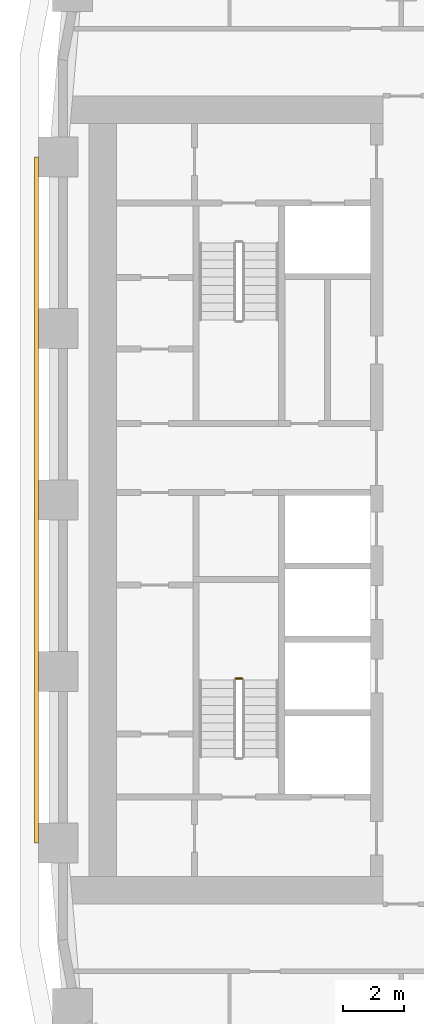
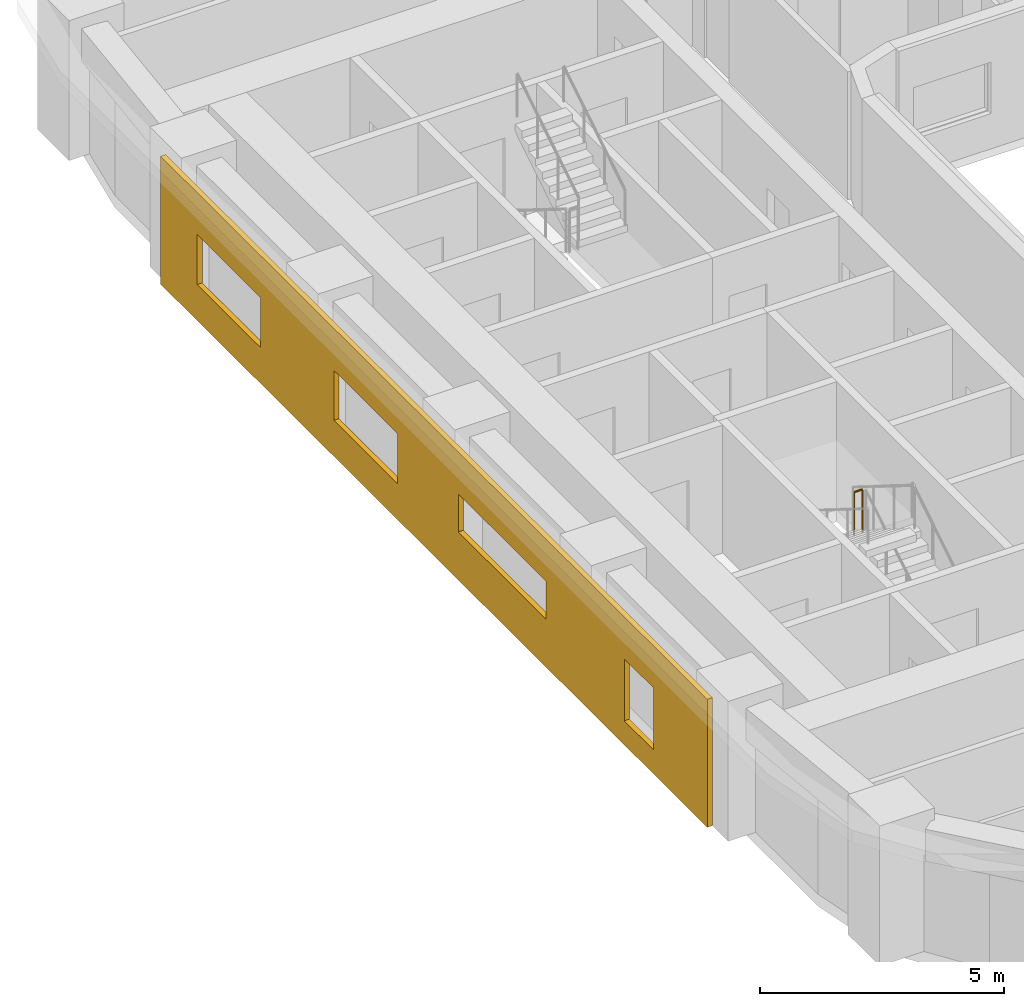
# One storey, part 14 of 22: 1 covering, 1 railing.
"""IFC4 building model written with IfcOpenShell, lengths in metres."""

from ifc_helpers import new_model, si_unit, direction, frame, origin, origin_2d, place, context, subcontext, project, spatial, polyline, circle, outline, extrude, material, layer, layer_set, type_object, element, save


model = new_model("IFC4")

# Units and contexts
model_context = context("Model", 3, precision=1e-05, world=origin(), true_north=direction((0.0, 1.0)))
body_context = subcontext(model_context, "Body", "Model", "MODEL_VIEW")
ifc_project = project(units=[si_unit("LENGTHUNIT", "METRE"), si_unit("AREAUNIT", "SQUARE_METRE"), si_unit("VOLUMEUNIT", "CUBIC_METRE"), si_unit("PLANEANGLEUNIT", "RADIAN"), si_unit("MASSUNIT", "GRAM", prefix="KILO")], contexts=[model_context])

# Site, building, storey
site_placement = place(None, origin())
site = spatial("IfcSite", under=ifc_project, at=site_placement, CompositionType="ELEMENT")
building_placement = place(site_placement, origin())
building = spatial("IfcBuilding", under=site, at=building_placement, Name="Kiln Ring Residences", CompositionType="ELEMENT")
storey_placement = place(building_placement, frame((0.0, 0.0, 90.300048828125)))
storey = spatial("IfcBuildingStorey", under=building, at=storey_placement, Name="L22", CompositionType="ELEMENT", Elevation=90.300048828125)

# Railing
ifc_material_1 = material(Name="Stainless steel", Category="steel")
railing_type = type_object("IfcRailingType", Name="CORE-STAIR-GUARD", PredefinedType="GUARDRAIL", material=ifc_material_1)
railing_placement = place(storey_placement, frame((-22.0, -5.830078125, 1.75)))
element("IfcRailing", 1, at=railing_placement, inside=storey, type_object=railing_type, Name="L22 W-STS stair guard 2", PredefinedType="GUARDRAIL", context=body_context, shape_type="SweptSolid", body=[
    extrude(circle(Radius=0.02392578125, at=origin_2d()), frame((0.0, 0.0, 1.076171875), z_axis=(-1.0, 0.0, 0.0), x_axis=(0.0, -1.0, 0.0)), (0.0, 0.0, 1.0), 0.199951171875),
    extrude(circle(Radius=0.02099609375, at=origin_2d()), origin(), (0.0, 0.0, 1.0), 1.052001953125),
    extrude(circle(Radius=0.02099609375, at=origin_2d()), frame((-0.199951171875, 0.0, 0.0)), (0.0, 0.0, 1.0), 1.052001953125),
])

# Covering
ifc_material_2 = material(Name="Brick masonry, dark clay brick", Category="masonry")
ifc_layer = layer(ifc_material_2, 0.1201171875)
ifc_layer_set = layer_set([ifc_layer], Name="RAINSCREEN PANEL 120")
covering_type = type_object("IfcCoveringType", Name="RAINSCREEN PANEL 120", PredefinedType="CLADDING", material=ifc_layer_set)
covering_placement = place(storey_placement, frame((-28.7099609375, 11.199951171875, 0.0), z_axis=(0.0, 0.0, 1.0), x_axis=(0.0, -1.0, 0.0)))
element("IfcCovering", 2, at=covering_placement, inside=storey, type_object=covering_type, Name="RAINSCREEN L22", PredefinedType="CLADDING", context=body_context, shape_type="SweptSolid", body=[
    extrude(outline(polyline([(0.0, 0.0), (22.39990234375, 0.0), (22.39990234375, 3.199951171875), (0.0, 3.199951171875), (0.0, 0.0)]), holes=[polyline([(20.199951171875, 0.599853515625), (20.199951171875, 2.14990234375), (19.0, 2.14990234375), (19.0, 0.599853515625), (20.199951171875, 0.599853515625)]), polyline([(4.10009765625, 0.89990234375), (4.10009765625, 2.14990234375), (1.5, 2.14990234375), (1.5, 0.89990234375), (4.10009765625, 0.89990234375)]), polyline([(9.699951171875, 0.89990234375), (9.699951171875, 2.14990234375), (7.10009765625, 2.14990234375), (7.10009765625, 0.89990234375), (9.699951171875, 0.89990234375)]), polyline([(15.800048828125, 1.199951171875), (15.800048828125, 2.14990234375), (12.199951171875, 2.14990234375), (12.199951171875, 1.199951171875), (15.800048828125, 1.199951171875)])]), frame((0.0, 0.06005859375, 0.0), z_axis=(0.0, -1.0, 0.0), x_axis=(1.0, 0.0, 0.0)), (0.0, 0.0, 1.0), 0.1201171875),
])

save(model, "model.ifc")
